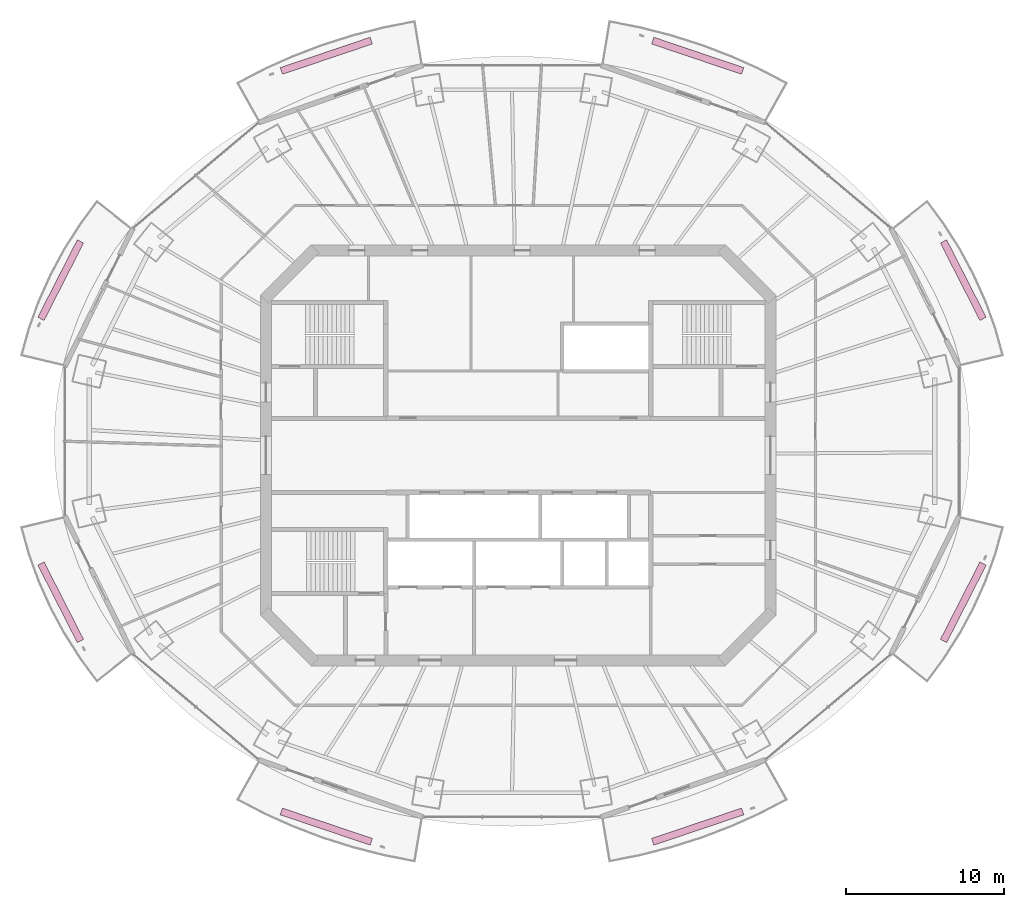
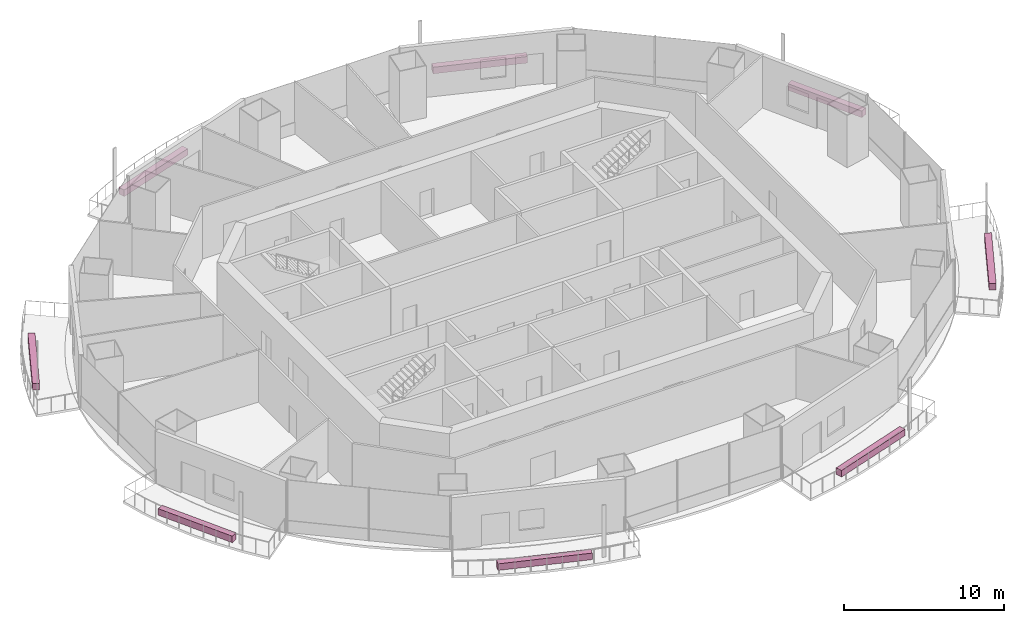
# One storey, part 16 of 16: 8 furnishings.
"""IFC4 building model written with IfcOpenShell, lengths in metres."""

from ifc_helpers import new_model, si_unit, direction, frame, origin, origin_2d, place, context, subcontext, project, spatial, rectangle, extrude, material, type_object, element, save


model = new_model("IFC4")

# Units and contexts
model_context = context("Model", 3, precision=1e-05, world=origin(), true_north=direction((0.0, 1.0)))
body_context = subcontext(model_context, "Body", "Model", "MODEL_VIEW")
ifc_project = project(units=[si_unit("LENGTHUNIT", "METRE"), si_unit("AREAUNIT", "SQUARE_METRE"), si_unit("VOLUMEUNIT", "CUBIC_METRE"), si_unit("PLANEANGLEUNIT", "RADIAN"), si_unit("MASSUNIT", "GRAM", prefix="KILO")], contexts=[model_context])

# Site, building, storey
site_placement = place(None, origin())
site = spatial("IfcSite", under=ifc_project, at=site_placement, CompositionType="ELEMENT")
building_placement = place(site_placement, origin())
building = spatial("IfcBuilding", under=site, at=building_placement, Name="Marenthal Gate Tower", CompositionType="ELEMENT")
storey_placement = place(building_placement, frame((0.0, 0.0, 292.800048828125)))
storey = spatial("IfcBuildingStorey", under=building, at=storey_placement, Name="L65", CompositionType="ELEMENT", Elevation=292.800048828125)

# Furnishings
ifc_material = material(Name="Planting soil and foliage", Category="planting")
furnishing_element_type = type_object("IfcFurnishingElementType", Name="Balcony PLANTER trough", material=ifc_material)
furnishing_1_placement = place(storey_placement, frame((28.222412109375, 11.11767578125, -0.0400390625), z_axis=(0.0, 0.0, 1.0), x_axis=(-0.454273484461, 0.890862279657, 0.0)))
element("IfcFurnishingElement", 1, at=furnishing_1_placement, inside=storey, type_object=furnishing_element_type, Name="Balcony PLANTER L65 bay 1", ObjectType="PLANTER", context=body_context, shape_type="SweptSolid", body=[
    extrude(rectangle(XDim=5.5166015625, YDim=0.449951171875, at=origin_2d()), origin(), (0.0, 0.0, 1.0), 0.5),
])
for number, where, z_axis, x_axis, name in (
    (2, (11.3759765625, 25.345458984375, -0.0400390625), (0.0, 0.0, 1.0), (-0.947437257295, 0.319941625129, 0.0), "Balcony PLANTER L65 bay 3"),
    (3, (-12.176025390625, 25.345458984375, -0.0400390625), (0.0, 0.0, 1.0), (-0.947437257295, -0.319941625129, 0.0), "Balcony PLANTER L65 bay 5"),
):
    element("IfcFurnishingElement", number, at=place(storey_placement, frame(where, z_axis=z_axis, x_axis=x_axis)), inside=storey, type_object=furnishing_element_type, Name=name, ObjectType="PLANTER", context=body_context, shape_type="SweptSolid", body=[
        extrude(rectangle(XDim=6.024658203125, YDim=0.449951171875, at=origin_2d()), origin(), (0.0, 0.0, 1.0), 0.5),
    ])
for number, where, z_axis, x_axis, name in (
    (4, (-29.0224609375, 11.11767578125, -0.0400390625), (0.0, 0.0, 1.0), (-0.454273484461, -0.890862279657, 0.0), "Balcony PLANTER L65 bay 7"),
    (5, (-29.0224609375, -9.317626953125, -0.0400390625), (0.0, 0.0, 1.0), (0.454273484461, -0.890862279657, 0.0), "Balcony PLANTER L65 bay 9"),
):
    element("IfcFurnishingElement", number, at=place(storey_placement, frame(where, z_axis=z_axis, x_axis=x_axis)), inside=storey, type_object=furnishing_element_type, Name=name, ObjectType="PLANTER", context=body_context, shape_type="SweptSolid", body=[
        extrude(rectangle(XDim=5.5166015625, YDim=0.449951171875, at=origin_2d()), origin(), (0.0, 0.0, 1.0), 0.5),
    ])
for number, where, z_axis, x_axis, name in (
    (6, (-12.176025390625, -23.54541015625, -0.0400390625), (0.0, 0.0, 1.0), (0.947437257295, -0.319941625129, 0.0), "Balcony PLANTER L65 bay 11"),
    (7, (11.3759765625, -23.54541015625, -0.0400390625), (0.0, 0.0, 1.0), (0.947437257295, 0.319941625129, 0.0), "Balcony PLANTER L65 bay 13"),
):
    element("IfcFurnishingElement", number, at=place(storey_placement, frame(where, z_axis=z_axis, x_axis=x_axis)), inside=storey, type_object=furnishing_element_type, Name=name, ObjectType="PLANTER", context=body_context, shape_type="SweptSolid", body=[
        extrude(rectangle(XDim=6.024658203125, YDim=0.449951171875, at=origin_2d()), origin(), (0.0, 0.0, 1.0), 0.5),
    ])
furnishing_2_placement = place(storey_placement, frame((28.222412109375, -9.317626953125, -0.0400390625), z_axis=(0.0, 0.0, 1.0), x_axis=(0.454273484461, 0.890862279657, 0.0)))
element("IfcFurnishingElement", 8, at=furnishing_2_placement, inside=storey, type_object=furnishing_element_type, Name="Balcony PLANTER L65 bay 15", ObjectType="PLANTER", context=body_context, shape_type="SweptSolid", body=[
    extrude(rectangle(XDim=5.5166015625, YDim=0.449951171875, at=origin_2d()), origin(), (0.0, 0.0, 1.0), 0.5),
])

save(model, "model.ifc")
